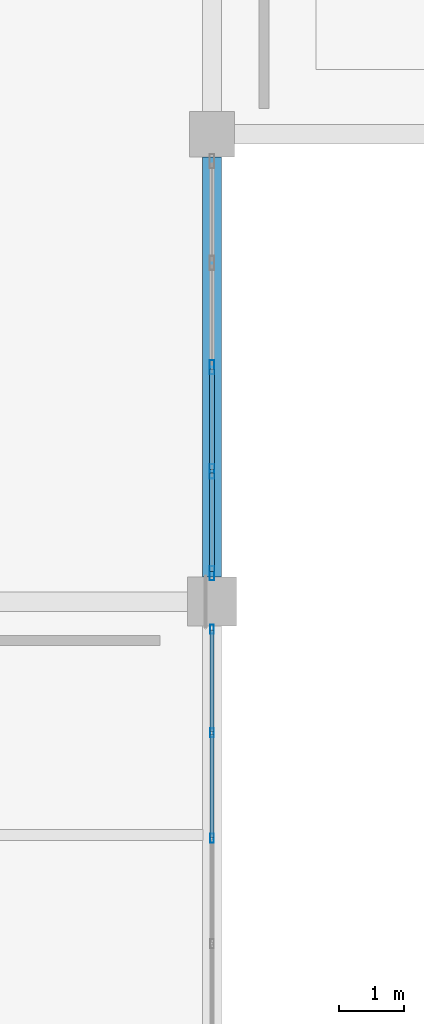
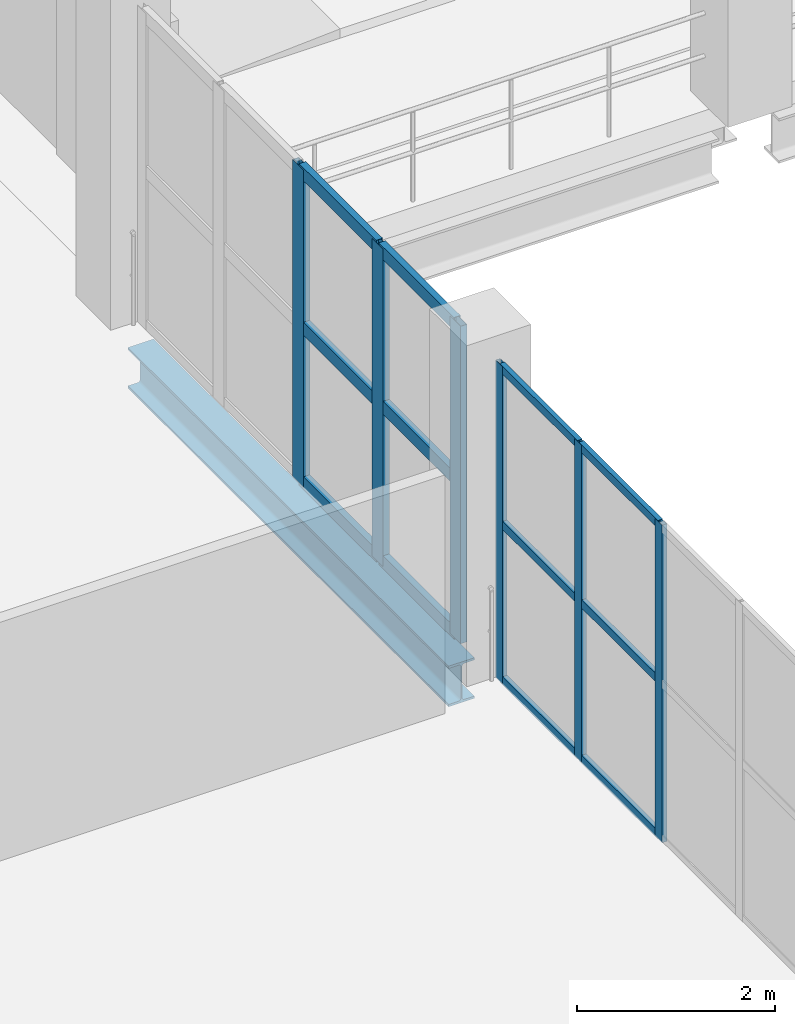
# One storey, part 44 of 130: 18 members, 1 beam, 2 elements without a shape of their own.
"""IFC4 building model written with IfcOpenShell, lengths in metres."""

from ifc_helpers import new_model, si_unit, direction, frame, origin, origin_2d, place, context, subcontext, project, spatial, hollow_rectangle, i_section, extrude, material, material_profile, profile_set, type_object, element, aggregate, save


model = new_model("IFC4")

# Units and contexts
model_context = context("Model", 3, precision=1e-05, world=origin(), true_north=direction((0.0, 1.0)))
body_context = subcontext(model_context, "Body", "Model", "MODEL_VIEW")
ifc_project = project(units=[si_unit("LENGTHUNIT", "METRE"), si_unit("AREAUNIT", "SQUARE_METRE"), si_unit("VOLUMEUNIT", "CUBIC_METRE"), si_unit("PLANEANGLEUNIT", "RADIAN"), si_unit("MASSUNIT", "GRAM", prefix="KILO")], contexts=[model_context])

# Site, building, storey
site_placement = place(None, origin())
site = spatial("IfcSite", under=ifc_project, at=site_placement, CompositionType="ELEMENT")
building_placement = place(site_placement, origin())
building = spatial("IfcBuilding", under=site, at=building_placement, Name="Qandorah Velis Arena", CompositionType="ELEMENT")
storey_placement = place(building_placement, frame((0.0, 0.0, 9.60009765625)))
storey = spatial("IfcBuildingStorey", under=building, at=storey_placement, Name="L02", CompositionType="ELEMENT", Elevation=9.60009765625)

# Curtain wall, members
ifc_material_1 = material(Name="Solar-control low-E double glazing", Category="glass")
curtain_wall_type_1 = type_object("IfcCurtainWallType", Name="ARC-CW-SYS24", PredefinedType="USERDEFINED", material=ifc_material_1)
curtain_wall_1_placement = place(storey_placement, origin())
curtain_wall_1 = element("IfcCurtainWall", 1, at=curtain_wall_1_placement, inside=storey, type_object=curtain_wall_type_1, Name="Unitised curtain wall L02-168", ObjectType="UNITISED CURTAIN WALL", PredefinedType="USERDEFINED")
ifc_material_2 = material(Name="Champagne-bronze anodized aluminium 6063-T6", Category="aluminium")
ifc_material_profile_1 = material_profile(ifc_material_2, hollow_rectangle(XDim=0.054931640625, YDim=0.139892578125, WallThickness=0.0029296875, at=origin_2d()), Name="ALU MULLION 55x140")
ifc_profile_set_1 = profile_set([ifc_material_profile_1], Name="Champagne-bronze anodized aluminium 6063-T6")
member_type_1 = type_object("IfcMemberType", Name="ARC-CWM-140", PredefinedType="MULLION", material=ifc_profile_set_1)
member_1_placement = place(storey_placement, frame((122.39990234375, 32.35009765625, -0.01513671875), z_axis=(0.0, 0.0, 1.0), x_axis=(-1.0, 0.0, 0.0)))
member_1 = element("IfcMember", 2, at=member_1_placement, type_object=member_type_1, Name="CW24 mullion 3", PredefinedType="MULLION", context=body_context, shape_type="SweptSolid", body=[
    extrude(hollow_rectangle(XDim=0.054931640625, YDim=0.139892578125, WallThickness=0.0029296875, at=origin_2d()), origin(), (0.0, 0.0, 1.0), 3.91015625),
])
member_2_placement = place(storey_placement, frame((122.39990234375, 33.97509765625, -0.01513671875), z_axis=(0.0, 0.0, 1.0), x_axis=(-1.0, 0.0, 0.0)))
member_2 = element("IfcMember", 3, at=member_2_placement, type_object=member_type_1, Name="CW24 mullion 4", PredefinedType="MULLION", context=body_context, shape_type="SweptSolid", body=[
    extrude(hollow_rectangle(XDim=0.054931640625, YDim=0.139892578125, WallThickness=0.0029296875, at=origin_2d()), origin(), (0.0, 0.0, 1.0), 3.91015625),
])
member_3_placement = place(storey_placement, frame((122.39990234375, 35.572509765625, -0.01513671875), z_axis=(0.0, 0.0, 1.0), x_axis=(-1.0, 0.0, 0.0)))
member_3 = element("IfcMember", 4, at=member_3_placement, type_object=member_type_1, Name="CW24 mullion 5", PredefinedType="MULLION", context=body_context, shape_type="SweptSolid", body=[
    extrude(hollow_rectangle(XDim=0.054931640625, YDim=0.139892578125, WallThickness=0.0029296875, at=origin_2d()), origin(), (0.0, 0.0, 1.0), 3.91015625),
])

curtain_wall_type_2 = type_object("IfcCurtainWallType", Name="ARC-CW-SYS01", PredefinedType="USERDEFINED", material=ifc_material_1)
curtain_wall_2_placement = place(storey_placement, origin())
curtain_wall_2 = element("IfcCurtainWall", 5, at=curtain_wall_2_placement, inside=storey, type_object=curtain_wall_type_2, Name="Unitised curtain wall L02-169", ObjectType="UNITISED CURTAIN WALL", PredefinedType="USERDEFINED")
ifc_material_profile_2 = material_profile(ifc_material_2, hollow_rectangle(XDim=0.074951171875, YDim=0.219970703125, WallThickness=0.00390625, at=origin_2d()), Name="ALU MULLION 75x220")
ifc_profile_set_2 = profile_set([ifc_material_profile_2], Name="Champagne-bronze anodized aluminium 6063-T6")
member_type_2 = type_object("IfcMemberType", Name="ARC-CWM-220", PredefinedType="MULLION", material=ifc_profile_set_2)
member_4_placement = place(storey_placement, frame((122.39990234375, 36.4375, -0.01513671875), z_axis=(0.0, 0.0, 1.0), x_axis=(-1.0, 0.0, 0.0)))
member_4 = element("IfcMember", 6, at=member_4_placement, type_object=member_type_2, Name="CW01 mullion 1", PredefinedType="MULLION", context=body_context, shape_type="SweptSolid", body=[
    extrude(hollow_rectangle(XDim=0.074951171875, YDim=0.219970703125, WallThickness=0.00390625, at=origin_2d()), origin(), (0.0, 0.0, 1.0), 3.91015625),
])
member_5_placement = place(storey_placement, frame((122.39990234375, 38.00634765625, -0.01513671875), z_axis=(0.0, 0.0, 1.0), x_axis=(-1.0, 0.0, 0.0)))
member_5 = element("IfcMember", 7, at=member_5_placement, type_object=member_type_2, Name="CW01 mullion 2", PredefinedType="MULLION", context=body_context, shape_type="SweptSolid", body=[
    extrude(hollow_rectangle(XDim=0.074951171875, YDim=0.219970703125, WallThickness=0.00390625, at=origin_2d()), origin(), (0.0, 0.0, 1.0), 3.91015625),
])
member_6_placement = place(storey_placement, frame((122.39990234375, 39.612548828125, -0.01513671875), z_axis=(0.0, 0.0, 1.0), x_axis=(-1.0, 0.0, 0.0)))
member_6 = element("IfcMember", 8, at=member_6_placement, type_object=member_type_2, Name="CW01 mullion 3", PredefinedType="MULLION", context=body_context, shape_type="SweptSolid", body=[
    extrude(hollow_rectangle(XDim=0.074951171875, YDim=0.219970703125, WallThickness=0.00390625, at=origin_2d()), origin(), (0.0, 0.0, 1.0), 3.91015625),
])

# Member
ifc_material_profile_3 = material_profile(ifc_material_2, hollow_rectangle(XDim=0.054931640625, YDim=0.10009765625, WallThickness=0.0029296875, at=origin_2d()), Name="ALU TRANSOM 55x100")
ifc_profile_set_3 = profile_set([ifc_material_profile_3], Name="Champagne-bronze anodized aluminium 6063-T6")
member_type_3 = type_object("IfcMemberType", Name="ARC-CWT-100", PredefinedType="USERDEFINED", material=ifc_profile_set_3)
member_7_placement = place(storey_placement, frame((122.39990234375, 32.365478515625, 0.02734375), z_axis=(0.0, 1.0, 0.0), x_axis=(-1.0, 0.0, 0.0)))
member_7 = element("IfcMember", 9, at=member_7_placement, type_object=member_type_3, Name="CW24 transom 3.1", ObjectType="TRANSOM", PredefinedType="USERDEFINED", context=body_context, shape_type="SweptSolid", body=[
    extrude(hollow_rectangle(XDim=0.054931640625, YDim=0.10009765625, WallThickness=0.0029296875, at=origin_2d()), origin(), (0.0, 0.0, 1.0), 1.593994140625),
])

member_8_placement = place(storey_placement, frame((122.39990234375, 32.365478515625, 1.93994140625), z_axis=(0.0, 1.0, 0.0), x_axis=(-1.0, 0.0, 0.0)))
member_8 = element("IfcMember", 10, at=member_8_placement, type_object=member_type_3, Name="CW24 transom 3.2", ObjectType="TRANSOM", PredefinedType="USERDEFINED", context=body_context, shape_type="SweptSolid", body=[
    extrude(hollow_rectangle(XDim=0.054931640625, YDim=0.10009765625, WallThickness=0.0029296875, at=origin_2d()), origin(), (0.0, 0.0, 1.0), 1.593994140625),
])

member_9_placement = place(storey_placement, frame((122.39990234375, 32.365478515625, 3.852294921875), z_axis=(0.0, 1.0, 0.0), x_axis=(-1.0, 0.0, 0.0)))
member_9 = element("IfcMember", 11, at=member_9_placement, type_object=member_type_3, Name="CW24 transom 3.3", ObjectType="TRANSOM", PredefinedType="USERDEFINED", context=body_context, shape_type="SweptSolid", body=[
    extrude(hollow_rectangle(XDim=0.054931640625, YDim=0.10009765625, WallThickness=0.0029296875, at=origin_2d()), origin(), (0.0, 0.0, 1.0), 1.593994140625),
])

member_10_placement = place(storey_placement, frame((122.39990234375, 33.990478515625, 0.02734375), z_axis=(0.0, 1.0, 0.0), x_axis=(-1.0, 0.0, 0.0)))
member_10 = element("IfcMember", 12, at=member_10_placement, type_object=member_type_3, Name="CW24 transom 4.1", ObjectType="TRANSOM", PredefinedType="USERDEFINED", context=body_context, shape_type="SweptSolid", body=[
    extrude(hollow_rectangle(XDim=0.054931640625, YDim=0.10009765625, WallThickness=0.0029296875, at=origin_2d()), origin(), (0.0, 0.0, 1.0), 1.56640625),
])

member_11_placement = place(storey_placement, frame((122.39990234375, 33.990478515625, 1.93994140625), z_axis=(0.0, 1.0, 0.0), x_axis=(-1.0, 0.0, 0.0)))
member_11 = element("IfcMember", 13, at=member_11_placement, type_object=member_type_3, Name="CW24 transom 4.2", ObjectType="TRANSOM", PredefinedType="USERDEFINED", context=body_context, shape_type="SweptSolid", body=[
    extrude(hollow_rectangle(XDim=0.054931640625, YDim=0.10009765625, WallThickness=0.0029296875, at=origin_2d()), origin(), (0.0, 0.0, 1.0), 1.56640625),
])

member_12_placement = place(storey_placement, frame((122.39990234375, 33.990478515625, 3.852294921875), z_axis=(0.0, 1.0, 0.0), x_axis=(-1.0, 0.0, 0.0)))
member_12 = element("IfcMember", 14, at=member_12_placement, type_object=member_type_3, Name="CW24 transom 4.3", ObjectType="TRANSOM", PredefinedType="USERDEFINED", context=body_context, shape_type="SweptSolid", body=[
    extrude(hollow_rectangle(XDim=0.054931640625, YDim=0.10009765625, WallThickness=0.0029296875, at=origin_2d()), origin(), (0.0, 0.0, 1.0), 1.56640625),
])

aggregate(curtain_wall_1, [member_1, member_2, member_3, member_7, member_8, member_9, member_10, member_11, member_12])

ifc_material_profile_4 = material_profile(ifc_material_2, hollow_rectangle(XDim=0.074951171875, YDim=0.159912109375, WallThickness=0.00341796875, at=origin_2d()), Name="ALU TRANSOM 75x160")
ifc_profile_set_4 = profile_set([ifc_material_profile_4], Name="Champagne-bronze anodized aluminium 6063-T6")
member_type_4 = type_object("IfcMemberType", Name="ARC-CWT-160", PredefinedType="USERDEFINED", material=ifc_profile_set_4)
member_13_placement = place(storey_placement, frame((122.39990234375, 36.462890625, 0.037353515625), z_axis=(0.0, 1.0, 0.0), x_axis=(-1.0, 0.0, 0.0)))
member_13 = element("IfcMember", 15, at=member_13_placement, type_object=member_type_4, Name="CW01 transom 1.1", ObjectType="TRANSOM", PredefinedType="USERDEFINED", context=body_context, shape_type="SweptSolid", body=[
    extrude(hollow_rectangle(XDim=0.074951171875, YDim=0.159912109375, WallThickness=0.00341796875, at=origin_2d()), origin(), (0.0, 0.0, 1.0), 1.517822265625),
])

member_14_placement = place(storey_placement, frame((122.39990234375, 36.462890625, 1.93994140625), z_axis=(0.0, 1.0, 0.0), x_axis=(-1.0, 0.0, 0.0)))
member_14 = element("IfcMember", 16, at=member_14_placement, type_object=member_type_4, Name="CW01 transom 1.2", ObjectType="TRANSOM", PredefinedType="USERDEFINED", context=body_context, shape_type="SweptSolid", body=[
    extrude(hollow_rectangle(XDim=0.074951171875, YDim=0.159912109375, WallThickness=0.00341796875, at=origin_2d()), origin(), (0.0, 0.0, 1.0), 1.517822265625),
])

member_15_placement = place(storey_placement, frame((122.39990234375, 36.462890625, 3.84228515625), z_axis=(0.0, 1.0, 0.0), x_axis=(-1.0, 0.0, 0.0)))
member_15 = element("IfcMember", 17, at=member_15_placement, type_object=member_type_4, Name="CW01 transom 1.3", ObjectType="TRANSOM", PredefinedType="USERDEFINED", context=body_context, shape_type="SweptSolid", body=[
    extrude(hollow_rectangle(XDim=0.074951171875, YDim=0.159912109375, WallThickness=0.00341796875, at=origin_2d()), origin(), (0.0, 0.0, 1.0), 1.517822265625),
])

member_16_placement = place(storey_placement, frame((122.39990234375, 38.03173828125, 0.037353515625), z_axis=(0.0, 1.0, 0.0), x_axis=(-1.0, 0.0, 0.0)))
member_16 = element("IfcMember", 18, at=member_16_placement, type_object=member_type_4, Name="CW01 transom 2.1", ObjectType="TRANSOM", PredefinedType="USERDEFINED", context=body_context, shape_type="SweptSolid", body=[
    extrude(hollow_rectangle(XDim=0.074951171875, YDim=0.159912109375, WallThickness=0.00341796875, at=origin_2d()), origin(), (0.0, 0.0, 1.0), 1.55517578125),
])

member_17_placement = place(storey_placement, frame((122.39990234375, 38.03173828125, 1.93994140625), z_axis=(0.0, 1.0, 0.0), x_axis=(-1.0, 0.0, 0.0)))
member_17 = element("IfcMember", 19, at=member_17_placement, type_object=member_type_4, Name="CW01 transom 2.2", ObjectType="TRANSOM", PredefinedType="USERDEFINED", context=body_context, shape_type="SweptSolid", body=[
    extrude(hollow_rectangle(XDim=0.074951171875, YDim=0.159912109375, WallThickness=0.00341796875, at=origin_2d()), origin(), (0.0, 0.0, 1.0), 1.55517578125),
])

member_18_placement = place(storey_placement, frame((122.39990234375, 38.03173828125, 3.84228515625), z_axis=(0.0, 1.0, 0.0), x_axis=(-1.0, 0.0, 0.0)))
member_18 = element("IfcMember", 20, at=member_18_placement, type_object=member_type_4, Name="CW01 transom 2.3", ObjectType="TRANSOM", PredefinedType="USERDEFINED", context=body_context, shape_type="SweptSolid", body=[
    extrude(hollow_rectangle(XDim=0.074951171875, YDim=0.159912109375, WallThickness=0.00341796875, at=origin_2d()), origin(), (0.0, 0.0, 1.0), 1.55517578125),
])

aggregate(curtain_wall_2, [member_4, member_5, member_6, member_13, member_14, member_15, member_16, member_17, member_18])

# Beam
ifc_material_3 = material(Name="Steel S355", Category="steel")
ifc_material_profile_5 = material_profile(ifc_material_3, i_section(OverallWidth=0.300048828125, OverallDepth=0.5, WebThickness=0.014404296875, FlangeThickness=0.028076171875, FilletRadius=0.027099609375, at=origin_2d()), Name="HEB 500")
ifc_profile_set_5 = profile_set([ifc_material_profile_5], Name="Steel S355")
beam_type = type_object("IfcBeamType", Name="STR-BM-HEB500", PredefinedType="BEAM", material=ifc_profile_set_5)
beam_placement = place(storey_placement, frame((122.39990234375, 36.375, -0.530029296875), z_axis=(0.0, 1.0, 0.0), x_axis=(-1.0, 0.0, 0.0)))
element("IfcBeam", 21, at=beam_placement, inside=storey, type_object=beam_type, Name="Primary floor girder L02 Y-323", PredefinedType="BEAM", context=body_context, shape_type="SweptSolid", body=[
    extrude(i_section(OverallWidth=0.300048828125, OverallDepth=0.5, WebThickness=0.014404296875, FlangeThickness=0.028076171875, FilletRadius=0.027099609375, at=origin_2d()), origin(), (0.0, 0.0, 1.0), 6.47509765625),
])

save(model, "model.ifc")
